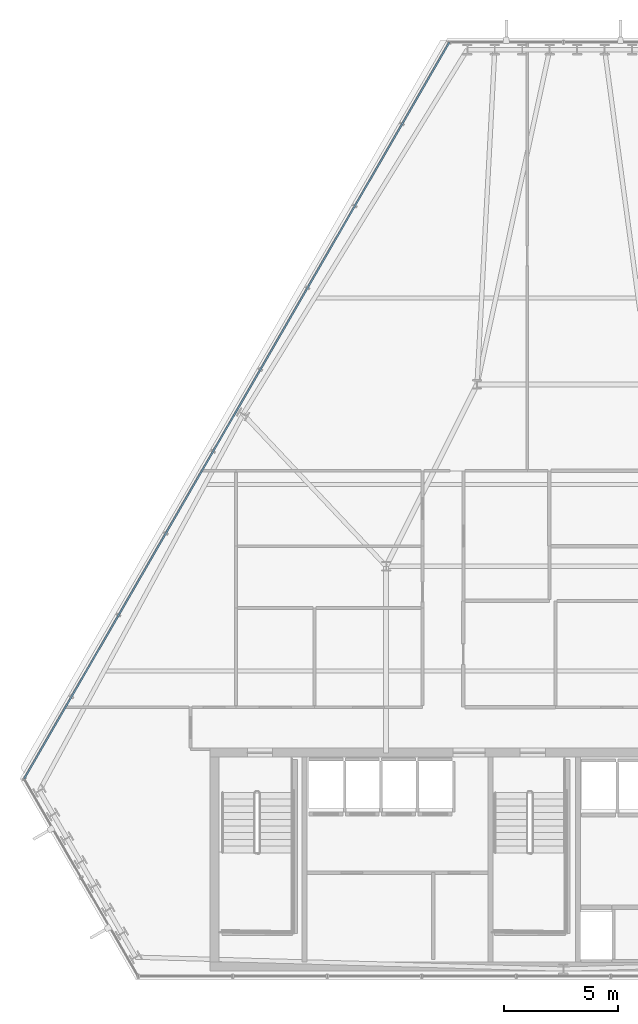
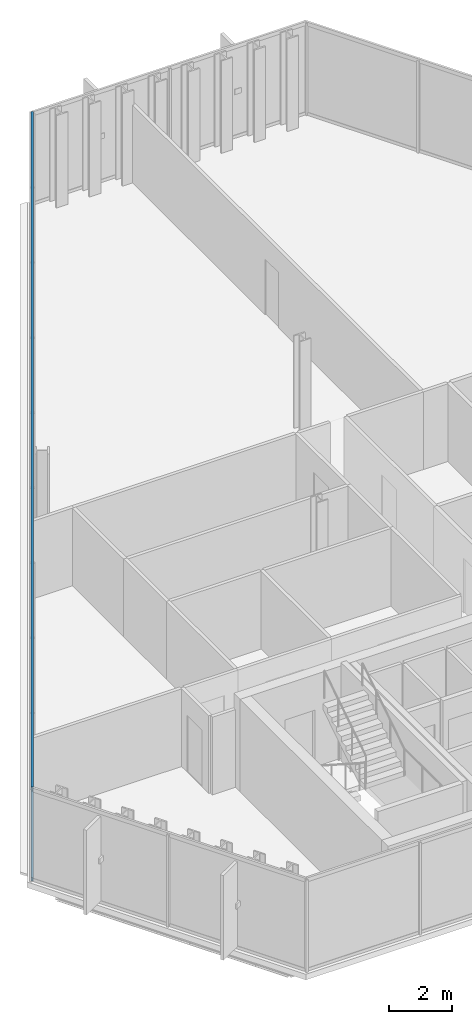
# One storey, part 12 of 35: 2 members, 1 element without a shape of its own.
"""IFC4 building model written with IfcOpenShell, lengths in metres."""

from ifc_helpers import new_model, si_unit, direction, frame, origin, origin_2d, place, context, subcontext, project, spatial, hollow_rectangle, extrude, material, layer, layer_set, material_profile, profile_set, type_object, element, aggregate, save


model = new_model("IFC4")

# Units and contexts
model_context = context("Model", 3, precision=1e-05, world=origin(), true_north=direction((0.0, 1.0)))
body_context = subcontext(model_context, "Body", "Model", "MODEL_VIEW")
ifc_project = project(units=[si_unit("LENGTHUNIT", "METRE"), si_unit("AREAUNIT", "SQUARE_METRE"), si_unit("VOLUMEUNIT", "CUBIC_METRE"), si_unit("PLANEANGLEUNIT", "RADIAN"), si_unit("MASSUNIT", "GRAM", prefix="KILO")], contexts=[model_context])

# Site, building, storey
site_placement = place(None, origin())
site = spatial("IfcSite", under=ifc_project, at=site_placement, CompositionType="ELEMENT")
building_placement = place(site_placement, origin())
building = spatial("IfcBuilding", under=site, at=building_placement, Name="Ndaravel Arena Tower", CompositionType="ELEMENT")
storey_placement = place(building_placement, frame((0.0, 0.0, 172.60009765625)))
storey = spatial("IfcBuildingStorey", under=building, at=storey_placement, Name="L41", CompositionType="ELEMENT", Elevation=172.60009765625)

# Curtain wall, members
ifc_material_1 = material(Name="Aluminium", Category="aluminium")
ifc_layer = layer(ifc_material_1, 0.179931640625)
ifc_layer_set = layer_set([ifc_layer], Name="Aluminium")
curtain_wall_type = type_object("IfcCurtainWallType", Name="CW-SYS-03", PredefinedType="NOTDEFINED", material=ifc_layer_set)
curtain_wall_placement = place(storey_placement, origin())
curtain_wall = element("IfcCurtainWall", 1, at=curtain_wall_placement, inside=storey, type_object=curtain_wall_type, Name="L41 Faceted Crystal Curtain Wall CW-L41-E05", PredefinedType="NOTDEFINED")
ifc_material_2 = material(Name="Aluminium", Category="aluminium")
ifc_material_profile = material_profile(ifc_material_2, hollow_rectangle(XDim=0.074951171875, YDim=0.14990234375, WallThickness=0.00390625, at=origin_2d()), Name="CW TRANSOM 75x150x4")
ifc_profile_set = profile_set([ifc_material_profile], Name="Aluminium")
member_type = type_object("IfcMemberType", Name="MEM-CW-TRN150", PredefinedType="USERDEFINED", material=ifc_profile_set)
member_1_placement = place(storey_placement, frame((36.981201171875, 46.248291015625, 0.039794921875), z_axis=(-0.499996270439, -0.866027557037, 0.0), x_axis=(0.866027557037, -0.499996270439, 0.0)))
member_1 = element("IfcMember", 2, at=member_1_placement, type_object=member_type, Name="CW-L41-E05 Transom 01", ObjectType="TRANSOM", PredefinedType="USERDEFINED", context=body_context, shape_type="SweptSolid", body=[
    extrude(hollow_rectangle(XDim=0.074951171875, YDim=0.14990234375, WallThickness=0.00390625, at=origin_2d()), origin(), (0.0, 0.0, 1.0), 37.406982421875),
])
member_2_placement = place(storey_placement, frame((36.981201171875, 46.248291015625, 3.539794921875), z_axis=(-0.499996270439, -0.866027557037, 0.0), x_axis=(0.866027557037, -0.499996270439, 0.0)))
member_2 = element("IfcMember", 3, at=member_2_placement, type_object=member_type, Name="CW-L41-E05 Transom 02", ObjectType="TRANSOM", PredefinedType="USERDEFINED", context=body_context, shape_type="SweptSolid", body=[
    extrude(hollow_rectangle(XDim=0.074951171875, YDim=0.14990234375, WallThickness=0.00390625, at=origin_2d()), origin(), (0.0, 0.0, 1.0), 37.406982421875),
])
aggregate(curtain_wall, [member_1, member_2])

save(model, "model.ifc")
